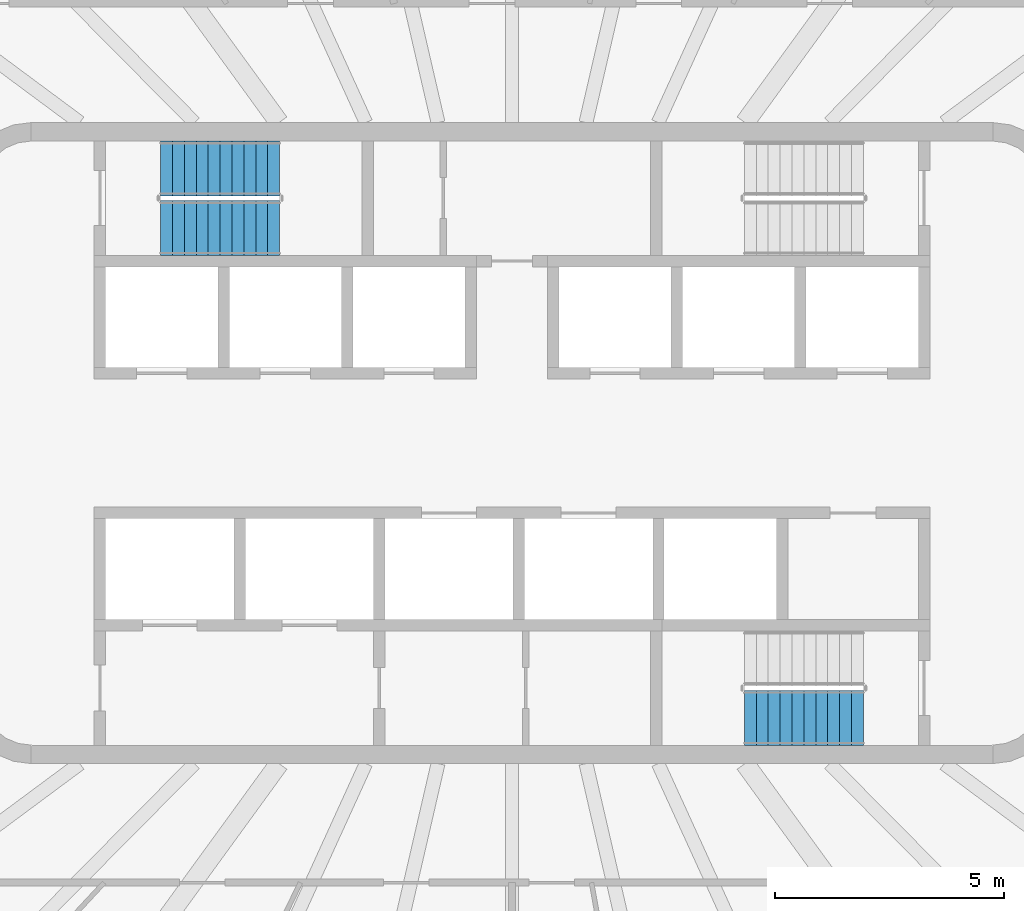
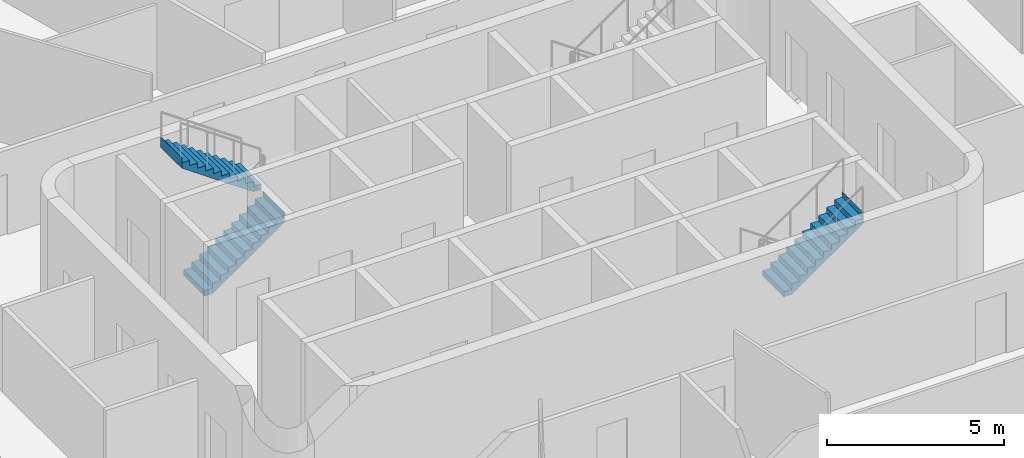
# One storey, part 14 of 20: 3 stair flights, 2 elements without a shape of their own.
"""IFC4 building model written with IfcOpenShell, lengths in metres."""

from ifc_helpers import new_model, si_unit, direction, frame, origin, place, context, subcontext, project, spatial, triangles, material, type_object, element, aggregate, save


model = new_model("IFC4")

# Units and contexts
model_context = context("Model", 3, precision=1e-05, world=origin(), true_north=direction((0.0, 1.0)))
body_context = subcontext(model_context, "Body", "Model", "MODEL_VIEW")
ifc_project = project(units=[si_unit("LENGTHUNIT", "METRE"), si_unit("AREAUNIT", "SQUARE_METRE"), si_unit("VOLUMEUNIT", "CUBIC_METRE"), si_unit("PLANEANGLEUNIT", "RADIAN"), si_unit("MASSUNIT", "GRAM", prefix="KILO")], contexts=[model_context])

# Site, building, storey
site_placement = place(None, origin())
site = spatial("IfcSite", under=ifc_project, at=site_placement, CompositionType="ELEMENT")
building_placement = place(site_placement, origin())
building = spatial("IfcBuilding", under=site, at=building_placement, Name="Sahrelin Media Tower", CompositionType="ELEMENT")
storey_placement = place(building_placement, frame((0.0, 0.0, 221.60009765625)))
storey = spatial("IfcBuildingStorey", under=building, at=storey_placement, Name="L47", CompositionType="ELEMENT", Elevation=221.60009765625)

# Stair, stair flights
ifc_material = material(Name="Concrete C40/50", Category="concrete")
stair_type = type_object("IfcStairType", Name="Exit stair 1200", PredefinedType="HALF_TURN_STAIR", material=ifc_material)
placement = place(storey_placement, origin())
stair_1 = element("IfcStair", 1, at=placement, inside=storey, type_object=stair_type, Name="L47 Exit stair ST1", PredefinedType="HALF_TURN_STAIR")
stair_flight_type = type_object("IfcStairFlightType", Name="Stair flight 1200", PredefinedType="STRAIGHT", material=ifc_material)
stair_flight_1_placement = place(storey_placement, frame((-7.675048828125, 4.699951171875, 0.0), z_axis=(0.0, 0.0, 1.0), x_axis=(1.0, 0.0, 0.0)))
stair_flight_1 = element("IfcStairFlight", 2, at=stair_flight_1_placement, type_object=stair_flight_type, Name="ST1 flight 1", NumberOfRisers=11, NumberOfTreads=10, PredefinedType="STRAIGHT", RiserHeight=0.181818182, TreadLength=0.26, context=body_context, shape_type="Tessellation", body=[
    triangles([(0.261474609375, 0.60009765625, 0.0), (0.261474609375, 0.300048828125, 0.0), (0.261474609375, 0.0, 0.0), (0.261474609375, -0.300048828125, 0.0), (0.261474609375, -0.60009765625, 0.0), (2.60009765625, 0.60009765625, 1.63525390625), (2.60009765625, 0.300048828125, 1.63525390625), (2.60009765625, 0.0, 1.63525390625), (2.60009765625, -0.300048828125, 1.63525390625), (2.60009765625, -0.60009765625, 1.63525390625), (2.60009765625, 0.60009765625, 2.0), (2.60009765625, 0.300048828125, 2.0), (2.60009765625, 0.0, 2.0), (2.60009765625, -0.300048828125, 2.0), (2.60009765625, -0.60009765625, 2.0), (2.597900390625, 0.60009765625, 2.0), (2.597900390625, 0.300048828125, 2.0), (2.597900390625, 0.0, 2.0), (2.597900390625, -0.300048828125, 2.0), (2.597900390625, -0.60009765625, 2.0), (2.597900390625, 0.60009765625, 1.818115234375), (2.597900390625, 0.300048828125, 1.818115234375), (2.597900390625, 0.0, 1.818115234375), (2.597900390625, -0.300048828125, 1.818115234375), (2.597900390625, -0.60009765625, 1.818115234375), (2.340087890625, 0.60009765625, 1.818115234375), (2.340087890625, 0.300048828125, 1.818115234375), (2.340087890625, 0.0, 1.818115234375), (2.340087890625, -0.300048828125, 1.818115234375), (2.340087890625, -0.60009765625, 1.818115234375), (2.340087890625, 0.60009765625, 1.636474609375), (2.340087890625, 0.300048828125, 1.636474609375), (2.340087890625, 0.0, 1.636474609375), (2.340087890625, -0.300048828125, 1.636474609375), (2.340087890625, -0.60009765625, 1.636474609375), (2.080078125, 0.60009765625, 1.636474609375), (2.080078125, 0.300048828125, 1.636474609375), (2.080078125, 0.0, 1.636474609375), (2.080078125, -0.300048828125, 1.636474609375), (2.080078125, -0.60009765625, 1.636474609375), (2.080078125, 0.60009765625, 1.45458984375), (2.080078125, 0.300048828125, 1.45458984375), (2.080078125, 0.0, 1.45458984375), (2.080078125, -0.300048828125, 1.45458984375), (2.080078125, -0.60009765625, 1.45458984375), (1.820068359375, 0.60009765625, 1.45458984375), (1.820068359375, 0.300048828125, 1.45458984375), (1.820068359375, 0.0, 1.45458984375), (1.820068359375, -0.300048828125, 1.45458984375), (1.820068359375, -0.60009765625, 1.45458984375), (1.820068359375, 0.60009765625, 1.272705078125), (1.820068359375, 0.300048828125, 1.272705078125), (1.820068359375, 0.0, 1.272705078125), (1.820068359375, -0.300048828125, 1.272705078125), (1.820068359375, -0.60009765625, 1.272705078125), (1.56005859375, 0.60009765625, 1.272705078125), (1.56005859375, 0.300048828125, 1.272705078125), (1.56005859375, 0.0, 1.272705078125), (1.56005859375, -0.300048828125, 1.272705078125), (1.56005859375, -0.60009765625, 1.272705078125), (1.56005859375, 0.60009765625, 1.0908203125), (1.56005859375, 0.300048828125, 1.0908203125), (1.56005859375, 0.0, 1.0908203125), (1.56005859375, -0.300048828125, 1.0908203125), (1.56005859375, -0.60009765625, 1.0908203125), (1.300048828125, 0.60009765625, 1.0908203125), (1.300048828125, 0.300048828125, 1.0908203125), (1.300048828125, 0.0, 1.0908203125), (1.300048828125, -0.300048828125, 1.0908203125), (1.300048828125, -0.60009765625, 1.0908203125), (1.300048828125, 0.60009765625, 0.9091796875), (1.300048828125, 0.300048828125, 0.9091796875), (1.300048828125, 0.0, 0.9091796875), (1.300048828125, -0.300048828125, 0.9091796875), (1.300048828125, -0.60009765625, 0.9091796875), (1.0400390625, 0.60009765625, 0.9091796875), (1.0400390625, 0.300048828125, 0.9091796875), (1.0400390625, 0.0, 0.9091796875), (1.0400390625, -0.300048828125, 0.9091796875), (1.0400390625, -0.60009765625, 0.9091796875), (1.0400390625, 0.60009765625, 0.727294921875), (1.0400390625, 0.300048828125, 0.727294921875), (1.0400390625, 0.0, 0.727294921875), (1.0400390625, -0.300048828125, 0.727294921875), (1.0400390625, -0.60009765625, 0.727294921875), (0.780029296875, 0.60009765625, 0.727294921875), (0.780029296875, 0.300048828125, 0.727294921875), (0.780029296875, 0.0, 0.727294921875), (0.780029296875, -0.300048828125, 0.727294921875), (0.780029296875, -0.60009765625, 0.727294921875), (0.780029296875, 0.60009765625, 0.54541015625), (0.780029296875, 0.300048828125, 0.54541015625), (0.780029296875, 0.0, 0.54541015625), (0.780029296875, -0.300048828125, 0.54541015625), (0.780029296875, -0.60009765625, 0.54541015625), (0.52001953125, 0.60009765625, 0.54541015625), (0.52001953125, 0.300048828125, 0.54541015625), (0.52001953125, 0.0, 0.54541015625), (0.52001953125, -0.300048828125, 0.54541015625), (0.52001953125, -0.60009765625, 0.54541015625), (0.52001953125, 0.60009765625, 0.363525390625), (0.52001953125, 0.300048828125, 0.363525390625), (0.52001953125, 0.0, 0.363525390625), (0.52001953125, -0.300048828125, 0.363525390625), (0.52001953125, -0.60009765625, 0.363525390625), (0.260009765625, 0.60009765625, 0.363525390625), (0.260009765625, 0.300048828125, 0.363525390625), (0.260009765625, 0.0, 0.363525390625), (0.260009765625, -0.300048828125, 0.363525390625), (0.260009765625, -0.60009765625, 0.363525390625), (0.260009765625, 0.60009765625, 0.181884765625), (0.260009765625, 0.300048828125, 0.181884765625), (0.260009765625, 0.0, 0.181884765625), (0.260009765625, -0.300048828125, 0.181884765625), (0.260009765625, -0.60009765625, 0.181884765625), (0.0, 0.60009765625, 0.181884765625), (0.0, 0.300048828125, 0.181884765625), (0.0, 0.0, 0.181884765625), (0.0, -0.300048828125, 0.181884765625), (0.0, -0.60009765625, 0.181884765625), (0.0, 0.60009765625, 0.0), (0.0, 0.300048828125, 0.0), (0.0, 0.0, 0.0), (0.0, -0.300048828125, 0.0), (0.0, -0.60009765625, 0.0)], [[1, 6, 7], [1, 7, 2], [2, 7, 8], [2, 8, 3], [3, 8, 9], [3, 9, 4], [4, 9, 10], [4, 10, 5], [6, 11, 12], [6, 12, 7], [7, 12, 13], [7, 13, 8], [8, 13, 14], [8, 14, 9], [9, 14, 15], [9, 15, 10], [11, 16, 17], [11, 17, 12], [12, 17, 18], [12, 18, 13], [13, 18, 19], [13, 19, 14], [14, 19, 20], [14, 20, 15], [16, 21, 22], [16, 22, 17], [17, 22, 23], [17, 23, 18], [18, 23, 24], [18, 24, 19], [19, 24, 25], [19, 25, 20], [21, 26, 27], [21, 27, 22], [22, 27, 28], [22, 28, 23], [23, 28, 29], [23, 29, 24], [24, 29, 30], [24, 30, 25], [26, 31, 32], [26, 32, 27], [27, 32, 33], [27, 33, 28], [28, 33, 34], [28, 34, 29], [29, 34, 35], [29, 35, 30], [31, 36, 37], [31, 37, 32], [32, 37, 38], [32, 38, 33], [33, 38, 39], [33, 39, 34], [34, 39, 40], [34, 40, 35], [36, 41, 42], [36, 42, 37], [37, 42, 43], [37, 43, 38], [38, 43, 44], [38, 44, 39], [39, 44, 45], [39, 45, 40], [41, 46, 47], [41, 47, 42], [42, 47, 48], [42, 48, 43], [43, 48, 49], [43, 49, 44], [44, 49, 50], [44, 50, 45], [46, 51, 52], [46, 52, 47], [47, 52, 53], [47, 53, 48], [48, 53, 54], [48, 54, 49], [49, 54, 55], [49, 55, 50], [51, 56, 57], [51, 57, 52], [52, 57, 58], [52, 58, 53], [53, 58, 59], [53, 59, 54], [54, 59, 60], [54, 60, 55], [56, 61, 62], [56, 62, 57], [57, 62, 63], [57, 63, 58], [58, 63, 64], [58, 64, 59], [59, 64, 65], [59, 65, 60], [61, 66, 67], [61, 67, 62], [62, 67, 68], [62, 68, 63], [63, 68, 69], [63, 69, 64], [64, 69, 70], [64, 70, 65], [66, 71, 72], [66, 72, 67], [67, 72, 73], [67, 73, 68], [68, 73, 74], [68, 74, 69], [69, 74, 75], [69, 75, 70], [71, 76, 77], [71, 77, 72], [72, 77, 78], [72, 78, 73], [73, 78, 79], [73, 79, 74], [74, 79, 80], [74, 80, 75], [76, 81, 82], [76, 82, 77], [77, 82, 83], [77, 83, 78], [78, 83, 84], [78, 84, 79], [79, 84, 85], [79, 85, 80], [81, 86, 87], [81, 87, 82], [82, 87, 88], [82, 88, 83], [83, 88, 89], [83, 89, 84], [84, 89, 90], [84, 90, 85], [86, 91, 92], [86, 92, 87], [87, 92, 93], [87, 93, 88], [88, 93, 94], [88, 94, 89], [89, 94, 95], [89, 95, 90], [91, 96, 97], [91, 97, 92], [92, 97, 98], [92, 98, 93], [93, 98, 99], [93, 99, 94], [94, 99, 100], [94, 100, 95], [96, 101, 102], [96, 102, 97], [97, 102, 103], [97, 103, 98], [98, 103, 104], [98, 104, 99], [99, 104, 105], [99, 105, 100], [101, 106, 107], [101, 107, 102], [102, 107, 108], [102, 108, 103], [103, 108, 109], [103, 109, 104], [104, 109, 110], [104, 110, 105], [106, 111, 112], [106, 112, 107], [107, 112, 113], [107, 113, 108], [108, 113, 114], [108, 114, 109], [109, 114, 115], [109, 115, 110], [111, 116, 117], [111, 117, 112], [112, 117, 118], [112, 118, 113], [113, 118, 119], [113, 119, 114], [114, 119, 120], [114, 120, 115], [116, 121, 122], [116, 122, 117], [117, 122, 123], [117, 123, 118], [118, 123, 124], [118, 124, 119], [119, 124, 125], [119, 125, 120], [121, 1, 2], [121, 2, 122], [122, 2, 3], [122, 3, 123], [123, 3, 4], [123, 4, 124], [124, 4, 5], [124, 5, 125], [115, 120, 125], [111, 121, 116], [115, 105, 110], [111, 106, 101], [105, 95, 100], [101, 96, 91], [95, 85, 90], [91, 86, 81], [85, 75, 80], [81, 76, 71], [75, 65, 70], [71, 66, 61], [65, 55, 60], [61, 56, 51], [55, 45, 50], [51, 46, 41], [45, 35, 40], [41, 36, 31], [35, 25, 30], [31, 26, 21], [25, 15, 20], [21, 16, 11], [125, 5, 115], [121, 111, 1], [25, 10, 15], [21, 11, 6], [105, 115, 5], [101, 1, 111], [35, 10, 25], [31, 21, 6], [95, 105, 5], [91, 1, 101], [45, 10, 35], [41, 31, 6], [85, 95, 5], [81, 1, 91], [55, 10, 45], [51, 41, 6], [75, 85, 5], [71, 1, 81], [65, 10, 55], [61, 51, 6], [5, 10, 75], [1, 71, 6], [75, 10, 65], [71, 61, 6]], closed=True),
])
stair_flight_2_placement = place(storey_placement, frame((-5.074951171875, 6.0, 2.0), z_axis=(0.0, 0.0, 1.0), x_axis=(-1.0, 0.0, 0.0)))
stair_flight_2 = element("IfcStairFlight", 3, at=stair_flight_2_placement, type_object=stair_flight_type, Name="ST1 flight 2", NumberOfRisers=11, NumberOfTreads=10, PredefinedType="STRAIGHT", RiserHeight=0.181818182, TreadLength=0.26, context=body_context, shape_type="Tessellation", body=[
    triangles([(0.261474609375, 0.60009765625, 0.0), (0.261474609375, 0.300048828125, 0.0), (0.261474609375, 0.0, 0.0), (0.261474609375, -0.300048828125, 0.0), (0.261474609375, -0.60009765625, 0.0), (2.60009765625, 0.60009765625, 1.63525390625), (2.60009765625, 0.300048828125, 1.63525390625), (2.60009765625, 0.0, 1.63525390625), (2.60009765625, -0.300048828125, 1.63525390625), (2.60009765625, -0.60009765625, 1.63525390625), (2.60009765625, 0.60009765625, 2.0), (2.60009765625, 0.300048828125, 2.0), (2.60009765625, 0.0, 2.0), (2.60009765625, -0.300048828125, 2.0), (2.60009765625, -0.60009765625, 2.0), (2.597900390625, 0.60009765625, 2.0), (2.597900390625, 0.300048828125, 2.0), (2.597900390625, 0.0, 2.0), (2.597900390625, -0.300048828125, 2.0), (2.597900390625, -0.60009765625, 2.0), (2.597900390625, 0.60009765625, 1.818115234375), (2.597900390625, 0.300048828125, 1.818115234375), (2.597900390625, 0.0, 1.818115234375), (2.597900390625, -0.300048828125, 1.818115234375), (2.597900390625, -0.60009765625, 1.818115234375), (2.340087890625, 0.60009765625, 1.818115234375), (2.340087890625, 0.300048828125, 1.818115234375), (2.340087890625, 0.0, 1.818115234375), (2.340087890625, -0.300048828125, 1.818115234375), (2.340087890625, -0.60009765625, 1.818115234375), (2.340087890625, 0.60009765625, 1.636474609375), (2.340087890625, 0.300048828125, 1.636474609375), (2.340087890625, 0.0, 1.636474609375), (2.340087890625, -0.300048828125, 1.636474609375), (2.340087890625, -0.60009765625, 1.636474609375), (2.080078125, 0.60009765625, 1.636474609375), (2.080078125, 0.300048828125, 1.636474609375), (2.080078125, 0.0, 1.636474609375), (2.080078125, -0.300048828125, 1.636474609375), (2.080078125, -0.60009765625, 1.636474609375), (2.080078125, 0.60009765625, 1.45458984375), (2.080078125, 0.300048828125, 1.45458984375), (2.080078125, 0.0, 1.45458984375), (2.080078125, -0.300048828125, 1.45458984375), (2.080078125, -0.60009765625, 1.45458984375), (1.820068359375, 0.60009765625, 1.45458984375), (1.820068359375, 0.300048828125, 1.45458984375), (1.820068359375, 0.0, 1.45458984375), (1.820068359375, -0.300048828125, 1.45458984375), (1.820068359375, -0.60009765625, 1.45458984375), (1.820068359375, 0.60009765625, 1.272705078125), (1.820068359375, 0.300048828125, 1.272705078125), (1.820068359375, 0.0, 1.272705078125), (1.820068359375, -0.300048828125, 1.272705078125), (1.820068359375, -0.60009765625, 1.272705078125), (1.56005859375, 0.60009765625, 1.272705078125), (1.56005859375, 0.300048828125, 1.272705078125), (1.56005859375, 0.0, 1.272705078125), (1.56005859375, -0.300048828125, 1.272705078125), (1.56005859375, -0.60009765625, 1.272705078125), (1.56005859375, 0.60009765625, 1.0908203125), (1.56005859375, 0.300048828125, 1.0908203125), (1.56005859375, 0.0, 1.0908203125), (1.56005859375, -0.300048828125, 1.0908203125), (1.56005859375, -0.60009765625, 1.0908203125), (1.300048828125, 0.60009765625, 1.0908203125), (1.300048828125, 0.300048828125, 1.0908203125), (1.300048828125, 0.0, 1.0908203125), (1.300048828125, -0.300048828125, 1.0908203125), (1.300048828125, -0.60009765625, 1.0908203125), (1.300048828125, 0.60009765625, 0.9091796875), (1.300048828125, 0.300048828125, 0.9091796875), (1.300048828125, 0.0, 0.9091796875), (1.300048828125, -0.300048828125, 0.9091796875), (1.300048828125, -0.60009765625, 0.9091796875), (1.0400390625, 0.60009765625, 0.9091796875), (1.0400390625, 0.300048828125, 0.9091796875), (1.0400390625, 0.0, 0.9091796875), (1.0400390625, -0.300048828125, 0.9091796875), (1.0400390625, -0.60009765625, 0.9091796875), (1.0400390625, 0.60009765625, 0.727294921875), (1.0400390625, 0.300048828125, 0.727294921875), (1.0400390625, 0.0, 0.727294921875), (1.0400390625, -0.300048828125, 0.727294921875), (1.0400390625, -0.60009765625, 0.727294921875), (0.780029296875, 0.60009765625, 0.727294921875), (0.780029296875, 0.300048828125, 0.727294921875), (0.780029296875, 0.0, 0.727294921875), (0.780029296875, -0.300048828125, 0.727294921875), (0.780029296875, -0.60009765625, 0.727294921875), (0.780029296875, 0.60009765625, 0.54541015625), (0.780029296875, 0.300048828125, 0.54541015625), (0.780029296875, 0.0, 0.54541015625), (0.780029296875, -0.300048828125, 0.54541015625), (0.780029296875, -0.60009765625, 0.54541015625), (0.52001953125, 0.60009765625, 0.54541015625), (0.52001953125, 0.300048828125, 0.54541015625), (0.52001953125, 0.0, 0.54541015625), (0.52001953125, -0.300048828125, 0.54541015625), (0.52001953125, -0.60009765625, 0.54541015625), (0.52001953125, 0.60009765625, 0.363525390625), (0.52001953125, 0.300048828125, 0.363525390625), (0.52001953125, 0.0, 0.363525390625), (0.52001953125, -0.300048828125, 0.363525390625), (0.52001953125, -0.60009765625, 0.363525390625), (0.260009765625, 0.60009765625, 0.363525390625), (0.260009765625, 0.300048828125, 0.363525390625), (0.260009765625, 0.0, 0.363525390625), (0.260009765625, -0.300048828125, 0.363525390625), (0.260009765625, -0.60009765625, 0.363525390625), (0.260009765625, 0.60009765625, 0.181884765625), (0.260009765625, 0.300048828125, 0.181884765625), (0.260009765625, 0.0, 0.181884765625), (0.260009765625, -0.300048828125, 0.181884765625), (0.260009765625, -0.60009765625, 0.181884765625), (0.0, 0.60009765625, 0.181884765625), (0.0, 0.300048828125, 0.181884765625), (0.0, 0.0, 0.181884765625), (0.0, -0.300048828125, 0.181884765625), (0.0, -0.60009765625, 0.181884765625), (0.0, 0.60009765625, 0.0), (0.0, 0.300048828125, 0.0), (0.0, 0.0, 0.0), (0.0, -0.300048828125, 0.0), (0.0, -0.60009765625, 0.0)], [[1, 6, 7], [1, 7, 2], [2, 7, 8], [2, 8, 3], [3, 8, 9], [3, 9, 4], [4, 9, 10], [4, 10, 5], [6, 11, 12], [6, 12, 7], [7, 12, 13], [7, 13, 8], [8, 13, 14], [8, 14, 9], [9, 14, 15], [9, 15, 10], [11, 16, 17], [11, 17, 12], [12, 17, 18], [12, 18, 13], [13, 18, 19], [13, 19, 14], [14, 19, 20], [14, 20, 15], [16, 21, 22], [16, 22, 17], [17, 22, 23], [17, 23, 18], [18, 23, 24], [18, 24, 19], [19, 24, 25], [19, 25, 20], [21, 26, 27], [21, 27, 22], [22, 27, 28], [22, 28, 23], [23, 28, 29], [23, 29, 24], [24, 29, 30], [24, 30, 25], [26, 31, 32], [26, 32, 27], [27, 32, 33], [27, 33, 28], [28, 33, 34], [28, 34, 29], [29, 34, 35], [29, 35, 30], [31, 36, 37], [31, 37, 32], [32, 37, 38], [32, 38, 33], [33, 38, 39], [33, 39, 34], [34, 39, 40], [34, 40, 35], [36, 41, 42], [36, 42, 37], [37, 42, 43], [37, 43, 38], [38, 43, 44], [38, 44, 39], [39, 44, 45], [39, 45, 40], [41, 46, 47], [41, 47, 42], [42, 47, 48], [42, 48, 43], [43, 48, 49], [43, 49, 44], [44, 49, 50], [44, 50, 45], [46, 51, 52], [46, 52, 47], [47, 52, 53], [47, 53, 48], [48, 53, 54], [48, 54, 49], [49, 54, 55], [49, 55, 50], [51, 56, 57], [51, 57, 52], [52, 57, 58], [52, 58, 53], [53, 58, 59], [53, 59, 54], [54, 59, 60], [54, 60, 55], [56, 61, 62], [56, 62, 57], [57, 62, 63], [57, 63, 58], [58, 63, 64], [58, 64, 59], [59, 64, 65], [59, 65, 60], [61, 66, 67], [61, 67, 62], [62, 67, 68], [62, 68, 63], [63, 68, 69], [63, 69, 64], [64, 69, 70], [64, 70, 65], [66, 71, 72], [66, 72, 67], [67, 72, 73], [67, 73, 68], [68, 73, 74], [68, 74, 69], [69, 74, 75], [69, 75, 70], [71, 76, 77], [71, 77, 72], [72, 77, 78], [72, 78, 73], [73, 78, 79], [73, 79, 74], [74, 79, 80], [74, 80, 75], [76, 81, 82], [76, 82, 77], [77, 82, 83], [77, 83, 78], [78, 83, 84], [78, 84, 79], [79, 84, 85], [79, 85, 80], [81, 86, 87], [81, 87, 82], [82, 87, 88], [82, 88, 83], [83, 88, 89], [83, 89, 84], [84, 89, 90], [84, 90, 85], [86, 91, 92], [86, 92, 87], [87, 92, 93], [87, 93, 88], [88, 93, 94], [88, 94, 89], [89, 94, 95], [89, 95, 90], [91, 96, 97], [91, 97, 92], [92, 97, 98], [92, 98, 93], [93, 98, 99], [93, 99, 94], [94, 99, 100], [94, 100, 95], [96, 101, 102], [96, 102, 97], [97, 102, 103], [97, 103, 98], [98, 103, 104], [98, 104, 99], [99, 104, 105], [99, 105, 100], [101, 106, 107], [101, 107, 102], [102, 107, 108], [102, 108, 103], [103, 108, 109], [103, 109, 104], [104, 109, 110], [104, 110, 105], [106, 111, 112], [106, 112, 107], [107, 112, 113], [107, 113, 108], [108, 113, 114], [108, 114, 109], [109, 114, 115], [109, 115, 110], [111, 116, 117], [111, 117, 112], [112, 117, 118], [112, 118, 113], [113, 118, 119], [113, 119, 114], [114, 119, 120], [114, 120, 115], [116, 121, 122], [116, 122, 117], [117, 122, 123], [117, 123, 118], [118, 123, 124], [118, 124, 119], [119, 124, 125], [119, 125, 120], [121, 1, 2], [121, 2, 122], [122, 2, 3], [122, 3, 123], [123, 3, 4], [123, 4, 124], [124, 4, 5], [124, 5, 125], [115, 120, 125], [111, 121, 116], [115, 105, 110], [111, 106, 101], [105, 95, 100], [101, 96, 91], [95, 85, 90], [91, 86, 81], [85, 75, 80], [81, 76, 71], [75, 65, 70], [71, 66, 61], [65, 55, 60], [61, 56, 51], [55, 45, 50], [51, 46, 41], [45, 35, 40], [41, 36, 31], [35, 25, 30], [31, 26, 21], [25, 15, 20], [21, 16, 11], [125, 5, 115], [121, 111, 1], [25, 10, 15], [21, 11, 6], [105, 115, 5], [101, 1, 111], [35, 10, 25], [31, 21, 6], [95, 105, 5], [91, 1, 101], [45, 10, 35], [41, 31, 6], [85, 95, 5], [81, 1, 91], [55, 10, 45], [51, 41, 6], [75, 85, 5], [71, 1, 81], [65, 10, 55], [61, 51, 6], [5, 10, 75], [1, 71, 6], [75, 10, 65], [71, 61, 6]], closed=True),
])
aggregate(stair_1, [stair_flight_1, stair_flight_2])

# Stair, stair flight
stair_2 = element("IfcStair", 4, at=placement, inside=storey, type_object=stair_type, Name="L47 Exit stair ST2", PredefinedType="HALF_TURN_STAIR")
stair_flight_3_placement = place(storey_placement, frame((5.074951171875, -6.0, 2.0), z_axis=(0.0, 0.0, 1.0), x_axis=(1.0, 0.0, 0.0)))
stair_flight_3 = element("IfcStairFlight", 5, at=stair_flight_3_placement, type_object=stair_flight_type, Name="ST2 flight 2", NumberOfRisers=11, NumberOfTreads=10, PredefinedType="STRAIGHT", RiserHeight=0.181818182, TreadLength=0.26, context=body_context, shape_type="Tessellation", body=[
    triangles([(0.261474609375, 0.60009765625, 0.0), (0.261474609375, 0.300048828125, 0.0), (0.261474609375, 0.0, 0.0), (0.261474609375, -0.300048828125, 0.0), (0.261474609375, -0.60009765625, 0.0), (2.60009765625, 0.60009765625, 1.63525390625), (2.60009765625, 0.300048828125, 1.63525390625), (2.60009765625, 0.0, 1.63525390625), (2.60009765625, -0.300048828125, 1.63525390625), (2.60009765625, -0.60009765625, 1.63525390625), (2.60009765625, 0.60009765625, 2.0), (2.60009765625, 0.300048828125, 2.0), (2.60009765625, 0.0, 2.0), (2.60009765625, -0.300048828125, 2.0), (2.60009765625, -0.60009765625, 2.0), (2.597900390625, 0.60009765625, 2.0), (2.597900390625, 0.300048828125, 2.0), (2.597900390625, 0.0, 2.0), (2.597900390625, -0.300048828125, 2.0), (2.597900390625, -0.60009765625, 2.0), (2.597900390625, 0.60009765625, 1.818115234375), (2.597900390625, 0.300048828125, 1.818115234375), (2.597900390625, 0.0, 1.818115234375), (2.597900390625, -0.300048828125, 1.818115234375), (2.597900390625, -0.60009765625, 1.818115234375), (2.340087890625, 0.60009765625, 1.818115234375), (2.340087890625, 0.300048828125, 1.818115234375), (2.340087890625, 0.0, 1.818115234375), (2.340087890625, -0.300048828125, 1.818115234375), (2.340087890625, -0.60009765625, 1.818115234375), (2.340087890625, 0.60009765625, 1.636474609375), (2.340087890625, 0.300048828125, 1.636474609375), (2.340087890625, 0.0, 1.636474609375), (2.340087890625, -0.300048828125, 1.636474609375), (2.340087890625, -0.60009765625, 1.636474609375), (2.080078125, 0.60009765625, 1.636474609375), (2.080078125, 0.300048828125, 1.636474609375), (2.080078125, 0.0, 1.636474609375), (2.080078125, -0.300048828125, 1.636474609375), (2.080078125, -0.60009765625, 1.636474609375), (2.080078125, 0.60009765625, 1.45458984375), (2.080078125, 0.300048828125, 1.45458984375), (2.080078125, 0.0, 1.45458984375), (2.080078125, -0.300048828125, 1.45458984375), (2.080078125, -0.60009765625, 1.45458984375), (1.820068359375, 0.60009765625, 1.45458984375), (1.820068359375, 0.300048828125, 1.45458984375), (1.820068359375, 0.0, 1.45458984375), (1.820068359375, -0.300048828125, 1.45458984375), (1.820068359375, -0.60009765625, 1.45458984375), (1.820068359375, 0.60009765625, 1.272705078125), (1.820068359375, 0.300048828125, 1.272705078125), (1.820068359375, 0.0, 1.272705078125), (1.820068359375, -0.300048828125, 1.272705078125), (1.820068359375, -0.60009765625, 1.272705078125), (1.56005859375, 0.60009765625, 1.272705078125), (1.56005859375, 0.300048828125, 1.272705078125), (1.56005859375, 0.0, 1.272705078125), (1.56005859375, -0.300048828125, 1.272705078125), (1.56005859375, -0.60009765625, 1.272705078125), (1.56005859375, 0.60009765625, 1.0908203125), (1.56005859375, 0.300048828125, 1.0908203125), (1.56005859375, 0.0, 1.0908203125), (1.56005859375, -0.300048828125, 1.0908203125), (1.56005859375, -0.60009765625, 1.0908203125), (1.300048828125, 0.60009765625, 1.0908203125), (1.300048828125, 0.300048828125, 1.0908203125), (1.300048828125, 0.0, 1.0908203125), (1.300048828125, -0.300048828125, 1.0908203125), (1.300048828125, -0.60009765625, 1.0908203125), (1.300048828125, 0.60009765625, 0.9091796875), (1.300048828125, 0.300048828125, 0.9091796875), (1.300048828125, 0.0, 0.9091796875), (1.300048828125, -0.300048828125, 0.9091796875), (1.300048828125, -0.60009765625, 0.9091796875), (1.0400390625, 0.60009765625, 0.9091796875), (1.0400390625, 0.300048828125, 0.9091796875), (1.0400390625, 0.0, 0.9091796875), (1.0400390625, -0.300048828125, 0.9091796875), (1.0400390625, -0.60009765625, 0.9091796875), (1.0400390625, 0.60009765625, 0.727294921875), (1.0400390625, 0.300048828125, 0.727294921875), (1.0400390625, 0.0, 0.727294921875), (1.0400390625, -0.300048828125, 0.727294921875), (1.0400390625, -0.60009765625, 0.727294921875), (0.780029296875, 0.60009765625, 0.727294921875), (0.780029296875, 0.300048828125, 0.727294921875), (0.780029296875, 0.0, 0.727294921875), (0.780029296875, -0.300048828125, 0.727294921875), (0.780029296875, -0.60009765625, 0.727294921875), (0.780029296875, 0.60009765625, 0.54541015625), (0.780029296875, 0.300048828125, 0.54541015625), (0.780029296875, 0.0, 0.54541015625), (0.780029296875, -0.300048828125, 0.54541015625), (0.780029296875, -0.60009765625, 0.54541015625), (0.52001953125, 0.60009765625, 0.54541015625), (0.52001953125, 0.300048828125, 0.54541015625), (0.52001953125, 0.0, 0.54541015625), (0.52001953125, -0.300048828125, 0.54541015625), (0.52001953125, -0.60009765625, 0.54541015625), (0.52001953125, 0.60009765625, 0.363525390625), (0.52001953125, 0.300048828125, 0.363525390625), (0.52001953125, 0.0, 0.363525390625), (0.52001953125, -0.300048828125, 0.363525390625), (0.52001953125, -0.60009765625, 0.363525390625), (0.260009765625, 0.60009765625, 0.363525390625), (0.260009765625, 0.300048828125, 0.363525390625), (0.260009765625, 0.0, 0.363525390625), (0.260009765625, -0.300048828125, 0.363525390625), (0.260009765625, -0.60009765625, 0.363525390625), (0.260009765625, 0.60009765625, 0.181884765625), (0.260009765625, 0.300048828125, 0.181884765625), (0.260009765625, 0.0, 0.181884765625), (0.260009765625, -0.300048828125, 0.181884765625), (0.260009765625, -0.60009765625, 0.181884765625), (0.0, 0.60009765625, 0.181884765625), (0.0, 0.300048828125, 0.181884765625), (0.0, 0.0, 0.181884765625), (0.0, -0.300048828125, 0.181884765625), (0.0, -0.60009765625, 0.181884765625), (0.0, 0.60009765625, 0.0), (0.0, 0.300048828125, 0.0), (0.0, 0.0, 0.0), (0.0, -0.300048828125, 0.0), (0.0, -0.60009765625, 0.0)], [[1, 6, 7], [1, 7, 2], [2, 7, 8], [2, 8, 3], [3, 8, 9], [3, 9, 4], [4, 9, 10], [4, 10, 5], [6, 11, 12], [6, 12, 7], [7, 12, 13], [7, 13, 8], [8, 13, 14], [8, 14, 9], [9, 14, 15], [9, 15, 10], [11, 16, 17], [11, 17, 12], [12, 17, 18], [12, 18, 13], [13, 18, 19], [13, 19, 14], [14, 19, 20], [14, 20, 15], [16, 21, 22], [16, 22, 17], [17, 22, 23], [17, 23, 18], [18, 23, 24], [18, 24, 19], [19, 24, 25], [19, 25, 20], [21, 26, 27], [21, 27, 22], [22, 27, 28], [22, 28, 23], [23, 28, 29], [23, 29, 24], [24, 29, 30], [24, 30, 25], [26, 31, 32], [26, 32, 27], [27, 32, 33], [27, 33, 28], [28, 33, 34], [28, 34, 29], [29, 34, 35], [29, 35, 30], [31, 36, 37], [31, 37, 32], [32, 37, 38], [32, 38, 33], [33, 38, 39], [33, 39, 34], [34, 39, 40], [34, 40, 35], [36, 41, 42], [36, 42, 37], [37, 42, 43], [37, 43, 38], [38, 43, 44], [38, 44, 39], [39, 44, 45], [39, 45, 40], [41, 46, 47], [41, 47, 42], [42, 47, 48], [42, 48, 43], [43, 48, 49], [43, 49, 44], [44, 49, 50], [44, 50, 45], [46, 51, 52], [46, 52, 47], [47, 52, 53], [47, 53, 48], [48, 53, 54], [48, 54, 49], [49, 54, 55], [49, 55, 50], [51, 56, 57], [51, 57, 52], [52, 57, 58], [52, 58, 53], [53, 58, 59], [53, 59, 54], [54, 59, 60], [54, 60, 55], [56, 61, 62], [56, 62, 57], [57, 62, 63], [57, 63, 58], [58, 63, 64], [58, 64, 59], [59, 64, 65], [59, 65, 60], [61, 66, 67], [61, 67, 62], [62, 67, 68], [62, 68, 63], [63, 68, 69], [63, 69, 64], [64, 69, 70], [64, 70, 65], [66, 71, 72], [66, 72, 67], [67, 72, 73], [67, 73, 68], [68, 73, 74], [68, 74, 69], [69, 74, 75], [69, 75, 70], [71, 76, 77], [71, 77, 72], [72, 77, 78], [72, 78, 73], [73, 78, 79], [73, 79, 74], [74, 79, 80], [74, 80, 75], [76, 81, 82], [76, 82, 77], [77, 82, 83], [77, 83, 78], [78, 83, 84], [78, 84, 79], [79, 84, 85], [79, 85, 80], [81, 86, 87], [81, 87, 82], [82, 87, 88], [82, 88, 83], [83, 88, 89], [83, 89, 84], [84, 89, 90], [84, 90, 85], [86, 91, 92], [86, 92, 87], [87, 92, 93], [87, 93, 88], [88, 93, 94], [88, 94, 89], [89, 94, 95], [89, 95, 90], [91, 96, 97], [91, 97, 92], [92, 97, 98], [92, 98, 93], [93, 98, 99], [93, 99, 94], [94, 99, 100], [94, 100, 95], [96, 101, 102], [96, 102, 97], [97, 102, 103], [97, 103, 98], [98, 103, 104], [98, 104, 99], [99, 104, 105], [99, 105, 100], [101, 106, 107], [101, 107, 102], [102, 107, 108], [102, 108, 103], [103, 108, 109], [103, 109, 104], [104, 109, 110], [104, 110, 105], [106, 111, 112], [106, 112, 107], [107, 112, 113], [107, 113, 108], [108, 113, 114], [108, 114, 109], [109, 114, 115], [109, 115, 110], [111, 116, 117], [111, 117, 112], [112, 117, 118], [112, 118, 113], [113, 118, 119], [113, 119, 114], [114, 119, 120], [114, 120, 115], [116, 121, 122], [116, 122, 117], [117, 122, 123], [117, 123, 118], [118, 123, 124], [118, 124, 119], [119, 124, 125], [119, 125, 120], [121, 1, 2], [121, 2, 122], [122, 2, 3], [122, 3, 123], [123, 3, 4], [123, 4, 124], [124, 4, 5], [124, 5, 125], [115, 120, 125], [111, 121, 116], [115, 105, 110], [111, 106, 101], [105, 95, 100], [101, 96, 91], [95, 85, 90], [91, 86, 81], [85, 75, 80], [81, 76, 71], [75, 65, 70], [71, 66, 61], [65, 55, 60], [61, 56, 51], [55, 45, 50], [51, 46, 41], [45, 35, 40], [41, 36, 31], [35, 25, 30], [31, 26, 21], [25, 15, 20], [21, 16, 11], [125, 5, 115], [121, 111, 1], [25, 10, 15], [21, 11, 6], [105, 115, 5], [101, 1, 111], [35, 10, 25], [31, 21, 6], [95, 105, 5], [91, 1, 101], [45, 10, 35], [41, 31, 6], [85, 95, 5], [81, 1, 91], [55, 10, 45], [51, 41, 6], [75, 85, 5], [71, 1, 81], [65, 10, 55], [61, 51, 6], [5, 10, 75], [1, 71, 6], [75, 10, 65], [71, 61, 6]], closed=True),
])
aggregate(stair_2, [stair_flight_3])

save(model, "model.ifc")
